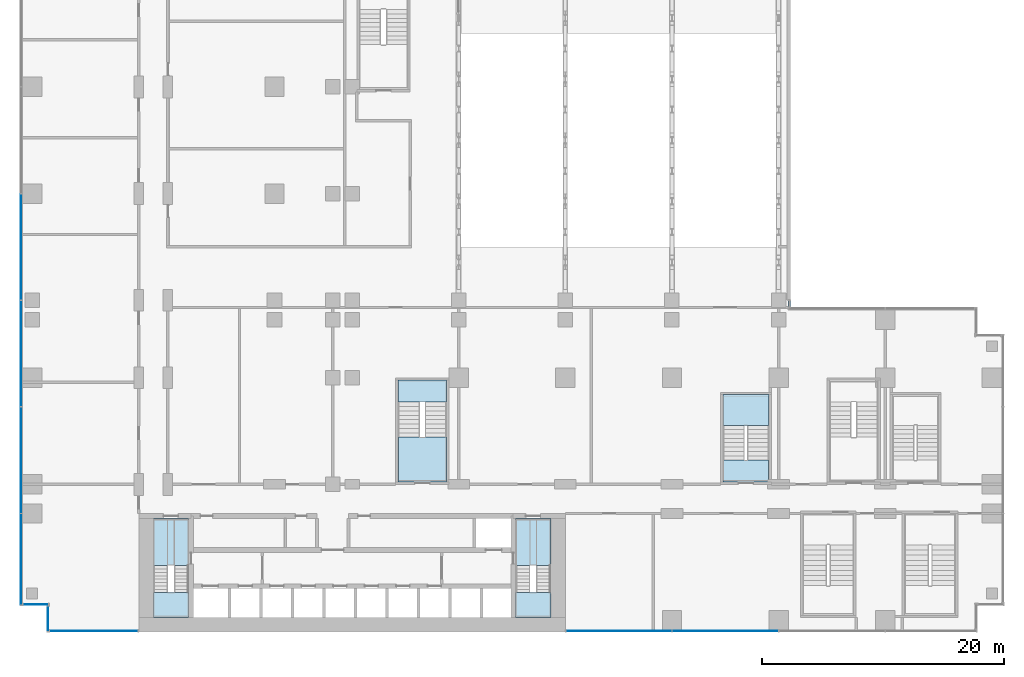
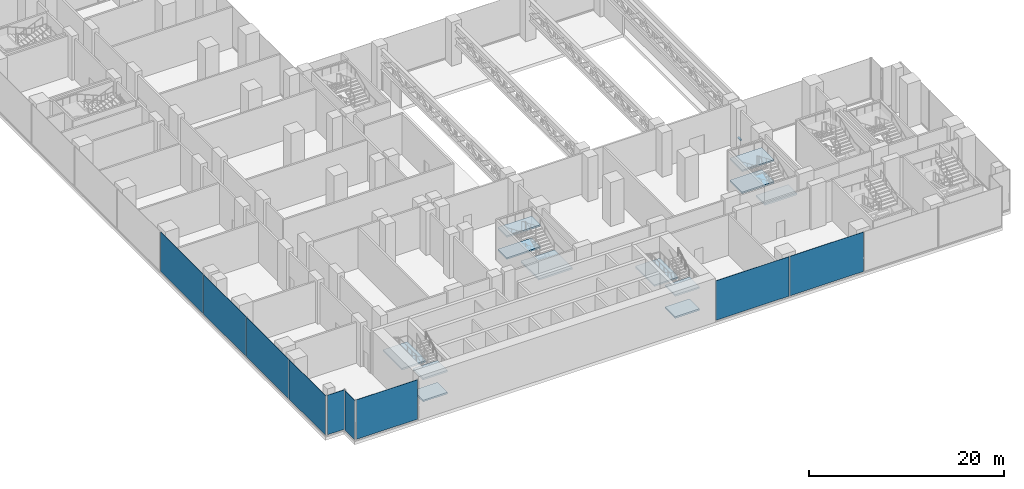
# One storey, part 12 of 30: 12 slabs, 9 plates, 1 member, 10 elements without a shape of their own.
"""IFC4 building model written with IfcOpenShell, lengths in metres."""

from ifc_helpers import new_model, si_unit, direction, frame, origin, origin_2d, place, context, subcontext, project, spatial, polyline, rectangle, outline, extrude, source, transform, mapped, material, layer, layer_set, material_profile, profile_set, type_object, element, aggregate, save


model = new_model("IFC4")

# Units and contexts
model_context = context("Model", 3, precision=1e-05, world=origin(), true_north=direction((0.0, 1.0)))
body_context = subcontext(model_context, "Body", "Model", "MODEL_VIEW")
ifc_project = project(units=[si_unit("LENGTHUNIT", "METRE"), si_unit("AREAUNIT", "SQUARE_METRE"), si_unit("VOLUMEUNIT", "CUBIC_METRE"), si_unit("PLANEANGLEUNIT", "RADIAN"), si_unit("MASSUNIT", "GRAM", prefix="KILO")], contexts=[model_context])

# Site, building, storey
site_placement = place(None, origin())
site = spatial("IfcSite", under=ifc_project, at=site_placement, CompositionType="ELEMENT")
building_placement = place(site_placement, origin())
building = spatial("IfcBuilding", under=site, at=building_placement, Name="Kemantara Hotel Tower", CompositionType="ELEMENT")
storey_placement = place(building_placement, frame((0.0, 0.0, 23.5)))
storey = spatial("IfcBuildingStorey", under=building, at=storey_placement, Name="L04", CompositionType="ELEMENT", Elevation=23.5)

# Curtain wall, member
ifc_material_1 = material(Name="Laminated tinted insulated glass 44 mm", Category="glass")
curtain_wall_type = type_object("IfcCurtainWallType", Name="PODIUM GLASS CURTAIN WALL", PredefinedType="USERDEFINED", material=ifc_material_1)
curtain_wall_1_placement = place(storey_placement, origin())
curtain_wall_1 = element("IfcCurtainWall", 1, at=curtain_wall_1_placement, inside=storey, type_object=curtain_wall_type, Name="CW1 L04 POD-R08-1", ObjectType="PODIUM GLASS CURTAIN WALL", PredefinedType="USERDEFINED")
ifc_material_2 = material(Name="Aluminium 6063-T6 bronze anodised", Category="aluminium")
ifc_material_profile = material_profile(ifc_material_2, rectangle(XDim=0.199951171875, YDim=0.14990234375, at=origin_2d()), Name="PODIUM GLASS CURTAIN WALL TRANSOM")
ifc_profile_set = profile_set([ifc_material_profile], Name="Aluminium 6063-T6 bronze anodised")
member_type = type_object("IfcMemberType", Name="PODIUM GLASS CURTAIN WALL TRANSOM", PredefinedType="USERDEFINED", material=ifc_profile_set)
member_placement = place(storey_placement, frame((63.5, 26.800048828125, 0.074951171875), z_axis=(0.0, 1.0, 0.0), x_axis=(-1.0, 0.0, 0.0)))
member = element("IfcMember", 2, at=member_placement, type_object=member_type, Name="CW1 sill transom POD-R08-1", ObjectType="TRANSOM", PredefinedType="USERDEFINED", context=body_context, shape_type="SweptSolid", body=[
    extrude(rectangle(XDim=0.199951171875, YDim=0.14990234375, at=origin_2d()), origin(), (0.0, 0.0, 1.0), 0.599853515625),
])
aggregate(curtain_wall_1, [member])

# Stair, slabs
ifc_material_3 = material(Name="Concrete fc 40 MPa", Category="concrete")
stair_type_1 = type_object("IfcStairType", Name="Stair 1200 wide 36 risers of 153 x 280 mm", PredefinedType="HALF_TURN_STAIR", material=ifc_material_3)
stair_1_placement = place(storey_placement, origin())
stair_1 = element("IfcStair", 3, at=stair_1_placement, inside=storey, type_object=stair_type_1, Name="L04 Exit stair ST1", PredefinedType="HALF_TURN_STAIR")
ifc_layer_1 = layer(ifc_material_3, 0.199951171875)
ifc_layer_set_1 = layer_set([ifc_layer_1], Name="Concrete fc 40 MPa")
slab_type = type_object("IfcSlabType", Name="Stair landing 200 mm", PredefinedType="LANDING", material=ifc_layer_set_1)
slab_1_placement = place(storey_placement, frame((0.0, 0.0, 1.175048828125)))
slab_1 = element("IfcSlab", 4, at=slab_1_placement, type_object=slab_type, Name="ST1 landing 1", PredefinedType="LANDING", context=body_context, shape_type="SweptSolid", body=[
    extrude(outline(polyline([(11.0, 3.260009765625), (11.0, 1.199951171875), (13.89990234375, 1.199951171875), (13.89990234375, 3.260009765625), (11.0, 3.260009765625)])), origin(), (0.0, 0.0, 1.0), 0.199951171875),
])
slab_2_placement = place(storey_placement, frame((0.0, 0.0, 2.550048828125)))
slab_2 = element("IfcSlab", 5, at=slab_2_placement, type_object=slab_type, Name="ST1 landing 2", PredefinedType="LANDING", context=body_context, shape_type="SweptSolid", body=[
    extrude(outline(polyline([(11.0, 9.39990234375), (11.0, 5.5), (13.89990234375, 5.5), (13.89990234375, 9.39990234375), (11.0, 9.39990234375)])), origin(), (0.0, 0.0, 1.0), 0.199951171875),
])
slab_3_placement = place(storey_placement, frame((0.0, 0.0, 3.925048828125)))
slab_3 = element("IfcSlab", 6, at=slab_3_placement, type_object=slab_type, Name="ST1 landing 3", PredefinedType="LANDING", context=body_context, shape_type="SweptSolid", body=[
    extrude(outline(polyline([(11.0, 3.260009765625), (11.0, 1.199951171875), (13.89990234375, 1.199951171875), (13.89990234375, 3.260009765625), (11.0, 3.260009765625)])), origin(), (0.0, 0.0, 1.0), 0.199951171875),
])
aggregate(stair_1, [slab_1, slab_2, slab_3])

stair_2_placement = place(storey_placement, origin())
stair_2 = element("IfcStair", 7, at=stair_2_placement, inside=storey, type_object=stair_type_1, Name="L04 Exit stair ST2", PredefinedType="HALF_TURN_STAIR")
slab_4_placement = place(storey_placement, frame((0.0, 0.0, 1.175048828125)))
slab_4 = element("IfcSlab", 8, at=slab_4_placement, type_object=slab_type, Name="ST2 landing 1", PredefinedType="LANDING", context=body_context, shape_type="SweptSolid", body=[
    extrude(outline(polyline([(40.89990234375, 3.260009765625), (40.89990234375, 1.199951171875), (43.800048828125, 1.199951171875), (43.800048828125, 3.260009765625), (40.89990234375, 3.260009765625)])), origin(), (0.0, 0.0, 1.0), 0.199951171875),
])
slab_5_placement = place(storey_placement, frame((0.0, 0.0, 2.550048828125)))
slab_5 = element("IfcSlab", 9, at=slab_5_placement, type_object=slab_type, Name="ST2 landing 2", PredefinedType="LANDING", context=body_context, shape_type="SweptSolid", body=[
    extrude(outline(polyline([(40.89990234375, 9.39990234375), (40.89990234375, 5.5), (43.800048828125, 5.5), (43.800048828125, 9.39990234375), (40.89990234375, 9.39990234375)])), origin(), (0.0, 0.0, 1.0), 0.199951171875),
])
slab_6_placement = place(storey_placement, frame((0.0, 0.0, 3.925048828125)))
slab_6 = element("IfcSlab", 10, at=slab_6_placement, type_object=slab_type, Name="ST2 landing 3", PredefinedType="LANDING", context=body_context, shape_type="SweptSolid", body=[
    extrude(outline(polyline([(40.89990234375, 3.260009765625), (40.89990234375, 1.199951171875), (43.800048828125, 1.199951171875), (43.800048828125, 3.260009765625), (40.89990234375, 3.260009765625)])), origin(), (0.0, 0.0, 1.0), 0.199951171875),
])
aggregate(stair_2, [slab_4, slab_5, slab_6])

stair_type_2 = type_object("IfcStairType", Name="Stair 1800 wide 36 risers of 153 x 360 mm", PredefinedType="HALF_TURN_STAIR", material=ifc_material_3)
stair_3_placement = place(storey_placement, origin())
stair_3 = element("IfcStair", 11, at=stair_3_placement, inside=storey, type_object=stair_type_2, Name="L04 Exit stair ST3", PredefinedType="HALF_TURN_STAIR")
slab_7_placement = place(storey_placement, frame((0.0, 0.0, 1.175048828125)))
slab_7 = element("IfcSlab", 12, at=slab_7_placement, type_object=slab_type, Name="ST3 landing 1", PredefinedType="LANDING", context=body_context, shape_type="SweptSolid", body=[
    extrude(outline(polyline([(61.800048828125, 17.080078125), (61.800048828125, 19.60009765625), (58.0, 19.60009765625), (58.0, 17.080078125), (61.800048828125, 17.080078125)])), origin(), (0.0, 0.0, 1.0), 0.199951171875),
])
slab_8_placement = place(storey_placement, frame((0.0, 0.0, 2.550048828125)))
slab_8 = element("IfcSlab", 13, at=slab_8_placement, type_object=slab_type, Name="ST3 landing 2", PredefinedType="LANDING", context=body_context, shape_type="SweptSolid", body=[
    extrude(outline(polyline([(61.800048828125, 12.39990234375), (61.800048828125, 14.199951171875), (58.0, 14.199951171875), (58.0, 12.39990234375), (61.800048828125, 12.39990234375)])), origin(), (0.0, 0.0, 1.0), 0.199951171875),
])
slab_9_placement = place(storey_placement, frame((0.0, 0.0, 3.925048828125)))
slab_9 = element("IfcSlab", 14, at=slab_9_placement, type_object=slab_type, Name="ST3 landing 3", PredefinedType="LANDING", context=body_context, shape_type="SweptSolid", body=[
    extrude(outline(polyline([(61.800048828125, 17.080078125), (61.800048828125, 19.60009765625), (58.0, 19.60009765625), (58.0, 17.080078125), (61.800048828125, 17.080078125)])), origin(), (0.0, 0.0, 1.0), 0.199951171875),
])
aggregate(stair_3, [slab_7, slab_8, slab_9])

stair_4_placement = place(storey_placement, origin())
stair_4 = element("IfcStair", 15, at=stair_4_placement, inside=storey, type_object=stair_type_2, Name="L04 Stair PS3", PredefinedType="HALF_TURN_STAIR")
slab_10_placement = place(storey_placement, frame((0.0, 0.0, 1.175048828125)))
slab_10 = element("IfcSlab", 16, at=slab_10_placement, type_object=slab_type, Name="PS3 landing 1", PredefinedType="LANDING", context=body_context, shape_type="SweptSolid", body=[
    extrude(outline(polyline([(35.199951171875, 18.97998046875), (35.199951171875, 20.800048828125), (31.199951171875, 20.800048828125), (31.199951171875, 18.97998046875), (35.199951171875, 18.97998046875)])), origin(), (0.0, 0.0, 1.0), 0.199951171875),
])
slab_11_placement = place(storey_placement, frame((0.0, 0.0, 2.550048828125)))
slab_11 = element("IfcSlab", 17, at=slab_11_placement, type_object=slab_type, Name="PS3 landing 2", PredefinedType="LANDING", context=body_context, shape_type="SweptSolid", body=[
    extrude(outline(polyline([(35.199951171875, 12.39990234375), (35.199951171875, 16.10009765625), (31.199951171875, 16.10009765625), (31.199951171875, 12.39990234375), (35.199951171875, 12.39990234375)])), origin(), (0.0, 0.0, 1.0), 0.199951171875),
])
slab_12_placement = place(storey_placement, frame((0.0, 0.0, 3.925048828125)))
slab_12 = element("IfcSlab", 18, at=slab_12_placement, type_object=slab_type, Name="PS3 landing 3", PredefinedType="LANDING", context=body_context, shape_type="SweptSolid", body=[
    extrude(outline(polyline([(35.199951171875, 18.97998046875), (35.199951171875, 20.800048828125), (31.199951171875, 20.800048828125), (31.199951171875, 18.97998046875), (35.199951171875, 18.97998046875)])), origin(), (0.0, 0.0, 1.0), 0.199951171875),
])
aggregate(stair_4, [slab_10, slab_11, slab_12])

# Curtain wall, plate
curtain_wall_2_placement = place(storey_placement, origin())
curtain_wall_2 = element("IfcCurtainWall", 19, at=curtain_wall_2_placement, inside=storey, type_object=curtain_wall_type, Name="CW1 L04 POD-R01-1", ObjectType="PODIUM GLASS CURTAIN WALL", PredefinedType="USERDEFINED")
ifc_layer_2 = layer(ifc_material_1, 0.0439453125)
ifc_layer_set_2 = layer_set([ifc_layer_2], Name="Laminated tinted insulated glass 44 mm")
plate_type = type_object("IfcPlateType", Name="PODIUM GLASS CURTAIN WALL PANEL", PredefinedType="CURTAIN_PANEL", material=ifc_layer_set_2)
shared_shape_1 = source(origin(), body_context, "Body", "SweptSolid", [
    extrude(rectangle(XDim=7.25, YDim=0.0439453125, at=origin_2d()), origin(), (0.0, 0.0, 1.0), 4.949951171875),
])
plate_1_placement = place(storey_placement, frame((6.10009765625, 0.10009765625, 0.14990234375), z_axis=(0.0, 0.0, 1.0), x_axis=(1.0, 0.0, 0.0)))
plate_1 = element("IfcPlate", 20, at=plate_1_placement, type_object=plate_type, Name="CW1 glass panel POD-R01-1.1", PredefinedType="CURTAIN_PANEL", context=body_context, shape_type="MappedRepresentation", body=[
    mapped(shared_shape_1, transform((0.0, 0.0, 0.0))),
])
aggregate(curtain_wall_2, [plate_1])

# Curtain wall, plates
curtain_wall_3_placement = place(storey_placement, origin())
curtain_wall_3 = element("IfcCurtainWall", 21, at=curtain_wall_3_placement, inside=storey, type_object=curtain_wall_type, Name="CW1 L04 POD-R01-2", ObjectType="PODIUM GLASS CURTAIN WALL", PredefinedType="USERDEFINED")
shared_shape_2 = source(origin(), body_context, "Body", "SweptSolid", [
    extrude(rectangle(XDim=8.6875, YDim=0.0439453125, at=origin_2d()), origin(), (0.0, 0.0, 1.0), 4.949951171875),
])
plate_2_placement = place(storey_placement, frame((49.418701171875, 0.10009765625, 0.14990234375), z_axis=(0.0, 0.0, 1.0), x_axis=(1.0, 0.0, 0.0)))
plate_2 = element("IfcPlate", 22, at=plate_2_placement, type_object=plate_type, Name="CW1 glass panel POD-R01-2.1", PredefinedType="CURTAIN_PANEL", context=body_context, shape_type="MappedRepresentation", body=[
    mapped(shared_shape_2, transform((0.0, 0.0, 0.0))),
])
shared_shape_3 = source(origin(), body_context, "Body", "SweptSolid", [
    extrude(rectangle(XDim=8.72509765625, YDim=0.0439453125, at=origin_2d()), origin(), (0.0, 0.0, 1.0), 4.949951171875),
])
plate_3_placement = place(storey_placement, frame((58.199951171875, 0.10009765625, 0.14990234375), z_axis=(0.0, 0.0, 1.0), x_axis=(1.0, 0.0, 0.0)))
plate_3 = element("IfcPlate", 23, at=plate_3_placement, type_object=plate_type, Name="CW1 glass panel POD-R01-2.2", PredefinedType="CURTAIN_PANEL", context=body_context, shape_type="MappedRepresentation", body=[
    mapped(shared_shape_3, transform((0.0, 0.0, 0.0))),
])
aggregate(curtain_wall_3, [plate_2, plate_3])

curtain_wall_4_placement = place(storey_placement, origin())
curtain_wall_4 = element("IfcCurtainWall", 24, at=curtain_wall_4_placement, inside=storey, type_object=curtain_wall_type, Name="CW1 L04 POD-R16-1", ObjectType="PODIUM GLASS CURTAIN WALL", PredefinedType="USERDEFINED")
plate_4_placement = place(storey_placement, frame((0.10009765625, 31.800048828125, 0.14990234375), z_axis=(0.0, 0.0, 1.0), x_axis=(0.0, -1.0, 0.0)))
plate_4 = element("IfcPlate", 25, at=plate_4_placement, type_object=plate_type, Name="CW1 glass panel POD-R16-1.6", PredefinedType="CURTAIN_PANEL", context=body_context, shape_type="MappedRepresentation", body=[
    mapped(shared_shape_3, transform((0.0, 0.0, 0.0))),
])
plate_5_placement = place(storey_placement, frame((0.10009765625, 23.0, 0.14990234375), z_axis=(0.0, 0.0, 1.0), x_axis=(0.0, -1.0, 0.0)))
plate_5 = element("IfcPlate", 26, at=plate_5_placement, type_object=plate_type, Name="CW1 glass panel POD-R16-1.7", PredefinedType="CURTAIN_PANEL", context=body_context, shape_type="MappedRepresentation", body=[
    mapped(shared_shape_3, transform((0.0, 0.0, 0.0))),
])
plate_6_placement = place(storey_placement, frame((0.10009765625, 14.199951171875, 0.14990234375), z_axis=(0.0, 0.0, 1.0), x_axis=(0.0, -1.0, 0.0)))
plate_6 = element("IfcPlate", 27, at=plate_6_placement, type_object=plate_type, Name="CW1 glass panel POD-R16-1.8", PredefinedType="CURTAIN_PANEL", context=body_context, shape_type="MappedRepresentation", body=[
    mapped(shared_shape_3, transform((0.0, 0.0, 0.0))),
])
shared_shape_4 = source(origin(), body_context, "Body", "SweptSolid", [
    extrude(rectangle(XDim=7.487548828125, YDim=0.0439453125, at=origin_2d()), origin(), (0.0, 0.0, 1.0), 4.949951171875),
])
plate_7_placement = place(storey_placement, frame((0.10009765625, 6.018798828125, 0.14990234375), z_axis=(0.0, 0.0, 1.0), x_axis=(0.0, -1.0, 0.0)))
plate_7 = element("IfcPlate", 28, at=plate_7_placement, type_object=plate_type, Name="CW1 glass panel POD-R16-1.9", PredefinedType="CURTAIN_PANEL", context=body_context, shape_type="MappedRepresentation", body=[
    mapped(shared_shape_4, transform((0.0, 0.0, 0.0))),
])
aggregate(curtain_wall_4, [plate_4, plate_5, plate_6, plate_7])

# Curtain wall, plate
curtain_wall_5_placement = place(storey_placement, origin())
curtain_wall_5 = element("IfcCurtainWall", 29, at=curtain_wall_5_placement, inside=storey, type_object=curtain_wall_type, Name="CW1 L04 POD-R00-1", ObjectType="PODIUM GLASS CURTAIN WALL", PredefinedType="USERDEFINED")
shared_shape_5 = source(origin(), body_context, "Body", "SweptSolid", [
    extrude(rectangle(XDim=2.050048828125, YDim=0.0439453125, at=origin_2d()), origin(), (0.0, 0.0, 1.0), 4.949951171875),
])
plate_8_placement = place(storey_placement, frame((2.300048828125, 1.10009765625, 0.14990234375), z_axis=(0.0, 0.0, 1.0), x_axis=(0.0, -1.0, 0.0)))
plate_8 = element("IfcPlate", 30, at=plate_8_placement, type_object=plate_type, Name="CW1 glass panel POD-R00-1.1", PredefinedType="CURTAIN_PANEL", context=body_context, shape_type="MappedRepresentation", body=[
    mapped(shared_shape_5, transform((0.0, 0.0, 0.0))),
])
aggregate(curtain_wall_5, [plate_8])

curtain_wall_6_placement = place(storey_placement, origin())
curtain_wall_6 = element("IfcCurtainWall", 31, at=curtain_wall_6_placement, inside=storey, type_object=curtain_wall_type, Name="CW1 L04 POD-R17-1", ObjectType="PODIUM GLASS CURTAIN WALL", PredefinedType="USERDEFINED")
plate_9_placement = place(storey_placement, frame((1.300048828125, 2.300048828125, 0.14990234375), z_axis=(0.0, 0.0, 1.0), x_axis=(1.0, 0.0, 0.0)))
plate_9 = element("IfcPlate", 32, at=plate_9_placement, type_object=plate_type, Name="CW1 glass panel POD-R17-1.1", PredefinedType="CURTAIN_PANEL", context=body_context, shape_type="MappedRepresentation", body=[
    mapped(shared_shape_5, transform((0.0, 0.0, 0.0))),
])
aggregate(curtain_wall_6, [plate_9])

save(model, "model.ifc")
